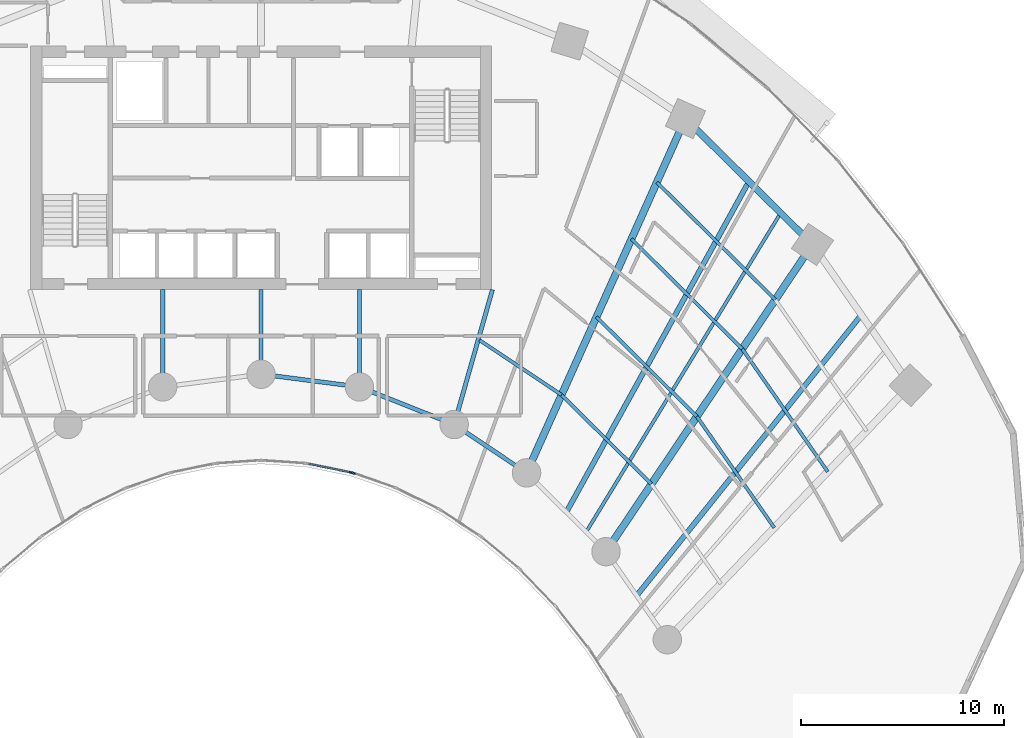
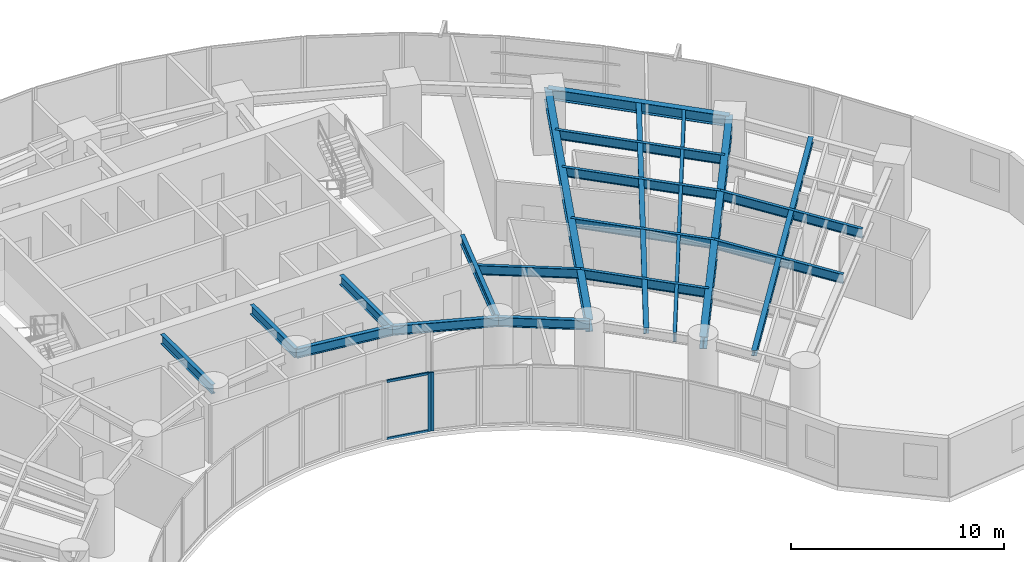
# One storey, part 5 of 17: 20 beams, 4 members, 2 elements without a shape of their own.
"""IFC4 building model written with IfcOpenShell, lengths in metres."""

from ifc_helpers import new_model, si_unit, direction, frame, origin, origin_2d, place, context, subcontext, project, spatial, rectangle, i_section, extrude, source, transform, mapped, material, layer, layer_set, material_profile, profile_set, type_object, type_shapes, element, aggregate, save


model = new_model("IFC4")

# Units and contexts
model_context = context("Model", 3, precision=1e-05, world=origin(), true_north=direction((0.0, 1.0)))
body_context = subcontext(model_context, "Body", "Model", "MODEL_VIEW")
ifc_project = project(units=[si_unit("LENGTHUNIT", "METRE"), si_unit("AREAUNIT", "SQUARE_METRE"), si_unit("VOLUMEUNIT", "CUBIC_METRE"), si_unit("PLANEANGLEUNIT", "RADIAN"), si_unit("MASSUNIT", "GRAM", prefix="KILO")], contexts=[model_context])

# Site, building, storey
site_placement = place(None, origin())
site = spatial("IfcSite", under=ifc_project, at=site_placement, CompositionType="ELEMENT")
building_placement = place(site_placement, origin())
building = spatial("IfcBuilding", under=site, at=building_placement, Name="Breltana Convention Tower", CompositionType="ELEMENT")
storey_placement = place(building_placement, frame((0.0, 0.0, 49.800048828125)))
storey = spatial("IfcBuildingStorey", under=building, at=storey_placement, Name="L10", CompositionType="ELEMENT", Elevation=49.800048828125)

# Beams
ifc_material_1 = material(Name="Steel ASTM A992 Grade 50", Category="steel")
ifc_material_profile_1 = material_profile(ifc_material_1, i_section(OverallWidth=0.323974609375, OverallDepth=0.611083984375, WebThickness=0.0126953125, FlangeThickness=0.01904296875, at=origin_2d()), Name="W24X104")
ifc_profile_set_1 = profile_set([ifc_material_profile_1], Name="Steel ASTM A992 Grade 50")
beam_type_1 = type_object("IfcBeamType", Name="BM-SP-W24X104", PredefinedType="SPANDREL", material=ifc_profile_set_1)
shared_shape_1 = source(origin(), body_context, "Body", "SweptSolid", [
    extrude(i_section(OverallWidth=0.323974609375, OverallDepth=0.611083984375, WebThickness=0.0126953125, FlangeThickness=0.01904296875, at=origin_2d()), origin(), (0.0, 0.0, 1.0), 8.810302734375),
])
beam_1_placement = place(storey_placement, frame((68.910400390625, 68.63330078125, 3.054443359375), z_axis=(0.710120823582, -0.704079836322, 0.0), x_axis=(0.704079836322, 0.710120823582, 0.0)))
element("IfcBeam", 1, at=beam_1_placement, inside=storey, type_object=beam_type_1, Name="L10 Outer Spandrel Beam 09", PredefinedType="SPANDREL", context=body_context, shape_type="MappedRepresentation", body=[
    mapped(shared_shape_1, transform((0.0, 0.0, 0.0), scale=1.0)),
])
ifc_material_profile_2 = material_profile(ifc_material_1, i_section(OverallWidth=0.2099609375, OverallDepth=0.537109375, WebThickness=0.010986328125, FlangeThickness=0.017333984375, at=origin_2d()), Name="W21X68")
ifc_profile_set_2 = profile_set([ifc_material_profile_2], Name="Steel ASTM A992 Grade 50")
beam_type_2 = type_object("IfcBeamType", Name="BM-BM-W21X68", PredefinedType="BEAM", material=ifc_profile_set_2)
shared_shape_2 = source(origin(), body_context, "Body", "SweptSolid", [
    extrude(i_section(OverallWidth=0.2099609375, OverallDepth=0.537109375, WebThickness=0.010986328125, FlangeThickness=0.017333984375, at=origin_2d()), origin(), (0.0, 0.0, 1.0), 6.904541015625),
])
type_shapes(beam_type_2, [shared_shape_2])
beam_2_placement = place(storey_placement, frame((59.39990234375, 60.199951171875, 3.091552734375), z_axis=(-0.273006781054, -0.962012108811, 0.0), x_axis=(0.962012108811, -0.273006781054, 0.0)))
element("IfcBeam", 2, at=beam_2_placement, inside=storey, type_object=beam_type_2, Name="L10 South Core Tie Girder R08", PredefinedType="BEAM", context=body_context, shape_type="MappedRepresentation", body=[
    mapped(shared_shape_2, transform((0.0, 0.0, 0.0), scale=1.0)),
])
shared_shape_3 = source(origin(), body_context, "Body", "SweptSolid", [
    extrude(i_section(OverallWidth=0.2099609375, OverallDepth=0.537109375, WebThickness=0.010986328125, FlangeThickness=0.017333984375, at=origin_2d()), origin(), (0.0, 0.0, 1.0), 4.789306640625),
])
for number, where, z_axis, x_axis, name in (
    (3, (43.153564453125, 60.199951171875, 3.091552734375), (0.0, -1.0, 0.0), (1.0, 0.0, 0.0), "L10 South Core Tie Girder R05"),
    (4, (52.846435546875, 60.199951171875, 3.091552734375), (0.0, -1.0, 0.0), (1.0, 0.0, 0.0), "L10 South Core Tie Girder R07"),
):
    element("IfcBeam", number, at=place(storey_placement, frame(where, z_axis=z_axis, x_axis=x_axis)), inside=storey, type_object=beam_type_2, Name=name, PredefinedType="BEAM", context=body_context, shape_type="MappedRepresentation", body=[
        mapped(shared_shape_3, transform((0.0, 0.0, 0.0), scale=1.0)),
    ])
shared_shape_4 = source(origin(), body_context, "Body", "SweptSolid", [
    extrude(i_section(OverallWidth=0.2099609375, OverallDepth=0.537109375, WebThickness=0.010986328125, FlangeThickness=0.017333984375, at=origin_2d()), origin(), (0.0, 0.0, 1.0), 4.1640625),
])
beam_3_placement = place(storey_placement, frame((48.0, 60.199951171875, 3.091552734375), z_axis=(0.0, -1.0, 0.0), x_axis=(1.0, 0.0, 0.0)))
element("IfcBeam", 5, at=beam_3_placement, inside=storey, type_object=beam_type_2, Name="L10 South Core Tie Girder R06", PredefinedType="BEAM", context=body_context, shape_type="MappedRepresentation", body=[
    mapped(shared_shape_4, transform((0.0, 0.0, 0.0), scale=1.0)),
])
ifc_material_profile_3 = material_profile(ifc_material_1, i_section(OverallWidth=0.35498046875, OverallDepth=0.696044921875, WebThickness=0.015380859375, FlangeThickness=0.02490234375, at=origin_2d()), Name="W27X146")
ifc_profile_set_3 = profile_set([ifc_material_profile_3], Name="Steel ASTM A992 Grade 50")
beam_type_3 = type_object("IfcBeamType", Name="BM-RG-W27X146", PredefinedType="USERDEFINED", material=ifc_profile_set_3)
shared_shape_5 = source(origin(), body_context, "Body", "SweptSolid", [
    extrude(i_section(OverallWidth=0.35498046875, OverallDepth=0.696044921875, WebThickness=0.015380859375, FlangeThickness=0.02490234375, at=origin_2d()), origin(), (0.0, 0.0, 1.0), 19.133544921875),
])
beam_4_placement = place(storey_placement, frame((61.08203125, 51.174560546875, 3.011962890625), z_axis=(0.409144564164, 0.912469575172, 0.0), x_axis=(-0.912469575172, 0.409144564164, 0.0)))
element("IfcBeam", 6, at=beam_4_placement, inside=storey, type_object=beam_type_3, Name="L10 Radial Floor Girder R09", ObjectType="GIRDER", PredefinedType="USERDEFINED", context=body_context, shape_type="MappedRepresentation", body=[
    mapped(shared_shape_5, transform((0.0, 0.0, 0.0), scale=1.0)),
])
shared_shape_6 = source(origin(), body_context, "Body", "SweptSolid", [
    extrude(i_section(OverallWidth=0.35498046875, OverallDepth=0.696044921875, WebThickness=0.015380859375, FlangeThickness=0.02490234375, at=origin_2d()), origin(), (0.0, 0.0, 1.0), 18.236328125),
])
beam_5_placement = place(storey_placement, frame((64.995849609375, 47.293701171875, 3.011962890625), z_axis=(0.557730360975, 0.830022195153, 0.0), x_axis=(-0.830022195153, 0.557730360975, 0.0)))
element("IfcBeam", 7, at=beam_5_placement, inside=storey, type_object=beam_type_3, Name="L10 Radial Floor Girder R10", ObjectType="GIRDER", PredefinedType="USERDEFINED", context=body_context, shape_type="MappedRepresentation", body=[
    mapped(shared_shape_6, transform((0.0, 0.0, 0.0), scale=1.0)),
])
shared_shape_7 = source(origin(), body_context, "Body", "SweptSolid", [
    extrude(i_section(OverallWidth=0.2099609375, OverallDepth=0.537109375, WebThickness=0.010986328125, FlangeThickness=0.017333984375, at=origin_2d()), origin(), (0.0, 0.0, 1.0), 5.022705078125),
])
beam_6_placement = place(storey_placement, frame((52.846435546875, 55.41064453125, 3.091552734375), z_axis=(0.929458966248, -0.368925507469, 0.0), x_axis=(0.368925507469, 0.929458966248, 0.0)))
element("IfcBeam", 8, at=beam_6_placement, inside=storey, type_object=beam_type_2, Name="L10 Inner Ring Beam 07", PredefinedType="BEAM", context=body_context, shape_type="MappedRepresentation", body=[
    mapped(shared_shape_7, transform((0.0, 0.0, 0.0), scale=1.0)),
])
shared_shape_8 = source(origin(), body_context, "Body", "SweptSolid", [
    extrude(i_section(OverallWidth=0.2099609375, OverallDepth=0.537109375, WebThickness=0.010986328125, FlangeThickness=0.017333984375, at=origin_2d()), origin(), (0.0, 0.0, 1.0), 4.88671875),
])
beam_7_placement = place(storey_placement, frame((48.0, 56.035888671875, 3.091552734375), z_axis=(0.991780525565, -0.127950729231, 0.0), x_axis=(0.127950729231, 0.991780525565, 0.0)))
element("IfcBeam", 9, at=beam_7_placement, inside=storey, type_object=beam_type_2, Name="L10 Inner Ring Beam 06", PredefinedType="BEAM", context=body_context, shape_type="MappedRepresentation", body=[
    mapped(shared_shape_8, transform((0.0, 0.0, 0.0), scale=1.0)),
])
shared_shape_9 = source(origin(), body_context, "Body", "SweptSolid", [
    extrude(i_section(OverallWidth=0.2099609375, OverallDepth=0.537109375, WebThickness=0.010986328125, FlangeThickness=0.017333984375, at=origin_2d()), origin(), (0.0, 0.0, 1.0), 4.2900390625),
])
beam_8_placement = place(storey_placement, frame((57.514892578125, 53.5576171875, 3.091552734375), z_axis=(0.831515827753, -0.555501060482, 0.0), x_axis=(0.555501060482, 0.831515827753, 0.0)))
element("IfcBeam", 10, at=beam_8_placement, inside=storey, type_object=beam_type_2, Name="L10 Inner Ring Beam 08", PredefinedType="BEAM", context=body_context, shape_type="MappedRepresentation", body=[
    mapped(shared_shape_9, transform((0.0, 0.0, 0.0), scale=1.0)),
])
ifc_material_profile_4 = material_profile(ifc_material_1, i_section(OverallWidth=0.166015625, OverallDepth=0.534912109375, WebThickness=0.01025390625, FlangeThickness=0.0166015625, at=origin_2d()), Name="W21X57")
ifc_profile_set_4 = profile_set([ifc_material_profile_4], Name="Steel ASTM A992 Grade 50")
beam_type_4 = type_object("IfcBeamType", Name="BM-JSG-05", PredefinedType="JOIST", material=ifc_profile_set_4)
shared_shape_10 = source(origin(), body_context, "Body", "SweptSolid", [
    extrude(i_section(OverallWidth=0.166015625, OverallDepth=0.534912109375, WebThickness=0.01025390625, FlangeThickness=0.0166015625, at=origin_2d()), origin(), (0.0, 0.0, 1.0), 4.854736328125),
])
beam_9_placement = place(storey_placement, frame((58.767578125, 57.71240234375, 3.092529296875), z_axis=(0.831485074305, -0.555547091801, 0.0), x_axis=(0.555547091801, 0.831485074305, 0.0)))
element("IfcBeam", 11, at=beam_9_placement, inside=storey, type_object=beam_type_4, Name="L10 Composite Floor Joist 08.1", PredefinedType="JOIST", context=body_context, shape_type="MappedRepresentation", body=[
    mapped(shared_shape_10, transform((0.0, 0.0, 0.0), scale=1.0)),
])
shared_shape_11 = source(origin(), body_context, "Body", "SweptSolid", [
    extrude(i_section(OverallWidth=0.166015625, OverallDepth=0.534912109375, WebThickness=0.01025390625, FlangeThickness=0.0166015625, at=origin_2d()), origin(), (0.0, 0.0, 1.0), 6.2373046875),
])
beam_10_placement = place(storey_placement, frame((62.80419921875, 55.015380859375, 3.092529296875), z_axis=(0.710114292485, -0.704086423394, 0.0), x_axis=(0.704086423394, 0.710114292485, 0.0)))
element("IfcBeam", 12, at=beam_10_placement, inside=storey, type_object=beam_type_4, Name="L10 Composite Floor Joist 09.1", PredefinedType="JOIST", context=body_context, shape_type="MappedRepresentation", body=[
    mapped(shared_shape_11, transform((0.0, 0.0, 0.0), scale=1.0)),
])
shared_shape_12 = source(origin(), body_context, "Body", "SweptSolid", [
    extrude(i_section(OverallWidth=0.166015625, OverallDepth=0.534912109375, WebThickness=0.01025390625, FlangeThickness=0.0166015625, at=origin_2d()), origin(), (0.0, 0.0, 1.0), 6.963134765625),
])
beam_11_placement = place(storey_placement, frame((64.526611328125, 58.8564453125, 3.092529296875), z_axis=(0.71009817493, -0.704102678564, 0.0), x_axis=(0.704102678564, 0.71009817493, 0.0)))
element("IfcBeam", 13, at=beam_11_placement, inside=storey, type_object=beam_type_4, Name="L10 Composite Floor Joist 09.2", PredefinedType="JOIST", context=body_context, shape_type="MappedRepresentation", body=[
    mapped(shared_shape_12, transform((0.0, 0.0, 0.0), scale=1.0)),
])
shared_shape_13 = source(origin(), body_context, "Body", "SweptSolid", [
    extrude(i_section(OverallWidth=0.166015625, OverallDepth=0.534912109375, WebThickness=0.01025390625, FlangeThickness=0.0166015625, at=origin_2d()), origin(), (0.0, 0.0, 1.0), 7.688720703125),
])
beam_12_placement = place(storey_placement, frame((66.248779296875, 62.697265625, 3.092529296875), z_axis=(0.710101109809, -0.704099718682, 0.0), x_axis=(0.704099718682, 0.710101109809, 0.0)))
element("IfcBeam", 14, at=beam_12_placement, inside=storey, type_object=beam_type_4, Name="L10 Composite Floor Joist 09.3", PredefinedType="JOIST", context=body_context, shape_type="MappedRepresentation", body=[
    mapped(shared_shape_13, transform((0.0, 0.0, 0.0), scale=1.0)),
])
shared_shape_14 = source(origin(), body_context, "Body", "SweptSolid", [
    extrude(i_section(OverallWidth=0.166015625, OverallDepth=0.534912109375, WebThickness=0.01025390625, FlangeThickness=0.0166015625, at=origin_2d()), origin(), (0.0, 0.0, 1.0), 8.21630859375),
])
beam_13_placement = place(storey_placement, frame((67.50146484375, 65.49072265625, 3.092529296875), z_axis=(0.710101511063, -0.704099314008, 0.0), x_axis=(0.704099314008, 0.710101511063, 0.0)))
element("IfcBeam", 15, at=beam_13_placement, inside=storey, type_object=beam_type_4, Name="L10 Composite Floor Joist 09.4", PredefinedType="JOIST", context=body_context, shape_type="MappedRepresentation", body=[
    mapped(shared_shape_14, transform((0.0, 0.0, 0.0), scale=1.0)),
])
ifc_material_profile_5 = material_profile(ifc_material_1, i_section(OverallWidth=0.25390625, OverallDepth=0.305908203125, WebThickness=0.0087890625, FlangeThickness=0.0146484375, at=origin_2d()), Name="W12X53")
ifc_profile_set_5 = profile_set([ifc_material_profile_5], Name="Steel ASTM A992 Grade 50")
beam_type_5 = type_object("IfcBeamType", Name="BM-JSG-10", PredefinedType="JOIST", material=ifc_profile_set_5)
shared_shape_15 = source(origin(), body_context, "Body", "SweptSolid", [
    extrude(i_section(OverallWidth=0.25390625, OverallDepth=0.305908203125, WebThickness=0.0087890625, FlangeThickness=0.0146484375, at=origin_2d()), origin(), (0.0, 0.0, 1.0), 18.617431640625),
])
beam_14_placement = place(storey_placement, frame((63.038818359375, 49.234130859375, 3.20703125), z_axis=(0.483405602507, 0.875396495004, 0.0), x_axis=(-0.875396495004, 0.483405602507, 0.0)))
element("IfcBeam", 16, at=beam_14_placement, inside=storey, type_object=beam_type_5, Name="L10 Mid-Bay Radial Trimmer 09", PredefinedType="JOIST", context=body_context, shape_type="MappedRepresentation", body=[
    mapped(shared_shape_15, transform((0.0, 0.0, 0.0), scale=1.0)),
])
shared_shape_16 = source(origin(), body_context, "Body", "SweptSolid", [
    extrude(i_section(OverallWidth=0.166015625, OverallDepth=0.534912109375, WebThickness=0.01025390625, FlangeThickness=0.0166015625, at=origin_2d()), origin(), (0.0, 0.0, 1.0), 18.409423828125),
])
beam_15_placement = place(storey_placement, frame((64.017333984375, 48.263916015625, 3.092529296875), z_axis=(0.520682167606, 0.853750596098, 0.0), x_axis=(-0.853750596098, 0.520682167606, 0.0)))
element("IfcBeam", 17, at=beam_15_placement, inside=storey, type_object=beam_type_4, Name="L10 Quarter-Bay Radial Trimmer 09", PredefinedType="JOIST", context=body_context, shape_type="MappedRepresentation", body=[
    mapped(shared_shape_16, transform((0.0, 0.0, 0.0), scale=1.0)),
])
shared_shape_17 = source(origin(), body_context, "Body", "SweptSolid", [
    extrude(i_section(OverallWidth=0.166015625, OverallDepth=0.534912109375, WebThickness=0.01025390625, FlangeThickness=0.0166015625, at=origin_2d()), origin(), (0.0, 0.0, 1.0), 6.677978515625),
])
beam_16_placement = place(storey_placement, frame((69.47119140625, 53.95361328125, 3.092529296875), z_axis=(0.571193018768, -0.820815774282, 0.0), x_axis=(0.820815774282, 0.571193018768, 0.0)))
element("IfcBeam", 18, at=beam_16_placement, inside=storey, type_object=beam_type_4, Name="L10 Composite Floor Joist 10.2", PredefinedType="JOIST", context=body_context, shape_type="MappedRepresentation", body=[
    mapped(shared_shape_17, transform((0.0, 0.0, 0.0), scale=1.0)),
])
shared_shape_18 = source(origin(), body_context, "Body", "SweptSolid", [
    extrude(i_section(OverallWidth=0.166015625, OverallDepth=0.534912109375, WebThickness=0.01025390625, FlangeThickness=0.0166015625, at=origin_2d()), origin(), (0.0, 0.0, 1.0), 7.374267578125),
])
beam_17_placement = place(storey_placement, frame((71.70849609375, 57.28369140625, 3.092529296875), z_axis=(0.571229379406, -0.820790470281, 0.0), x_axis=(0.820790470281, 0.571229379406, 0.0)))
element("IfcBeam", 19, at=beam_17_placement, inside=storey, type_object=beam_type_4, Name="L10 Composite Floor Joist 10.3", PredefinedType="JOIST", context=body_context, shape_type="MappedRepresentation", body=[
    mapped(shared_shape_18, transform((0.0, 0.0, 0.0), scale=1.0)),
])
shared_shape_19 = source(origin(), body_context, "Body", "SweptSolid", [
    extrude(i_section(OverallWidth=0.25390625, OverallDepth=0.305908203125, WebThickness=0.0087890625, FlangeThickness=0.0146484375, at=origin_2d()), origin(), (0.0, 0.0, 1.0), 17.7236328125),
])
beam_18_placement = place(storey_placement, frame((66.505615234375, 45.124267578125, 3.20703125), z_axis=(0.624829427563, 0.78076128647, 0.0), x_axis=(-0.78076128647, 0.624829427563, 0.0)))
element("IfcBeam", 20, at=beam_18_placement, inside=storey, type_object=beam_type_5, Name="L10 Mid-Bay Radial Trimmer 10", PredefinedType="JOIST", context=body_context, shape_type="MappedRepresentation", body=[
    mapped(shared_shape_19, transform((0.0, 0.0, 0.0), scale=1.0)),
])

# Curtain wall, members
ifc_material_2 = material(Name="Aluminium Anodised Bronze Frame", Category="aluminium")
ifc_layer = layer(ifc_material_2, 0.18994140625, Name="Aluminium Anodised Bronze Frame")
ifc_layer_set = layer_set([ifc_layer], Name="Aluminium Anodised Bronze Frame")
curtain_wall_type = type_object("IfcCurtainWallType", Name="CW-SYS-1", PredefinedType="NOTDEFINED", material=ifc_layer_set)
curtain_wall_1_placement = place(storey_placement, origin())
curtain_wall_1 = element("IfcCurtainWall", 21, at=curtain_wall_1_placement, inside=storey, type_object=curtain_wall_type, Name="L10 inner south-court glazing 8", PredefinedType="NOTDEFINED")
ifc_material_3 = material(Name="Aluminium Anodised Bronze", Category="aluminium")
ifc_material_profile_6 = material_profile(ifc_material_3, rectangle(XDim=0.080078125, YDim=0.139892578125, at=origin_2d()), Name="CWT-80X140")
ifc_profile_set_6 = profile_set([ifc_material_profile_6], Name="Aluminium Anodised Bronze")
member_type_1 = type_object("IfcMemberType", Name="CWT-140", PredefinedType="USERDEFINED", material=ifc_profile_set_6)
shared_shape_20 = source(origin(), body_context, "Body", "SweptSolid", [
    extrude(rectangle(XDim=0.080078125, YDim=0.139892578125, at=origin_2d()), origin(), (0.0, 0.0, 1.0), 2.096435546875),
])
member_1_placement = place(storey_placement, frame((52.401611328125, 51.201416015625, 0.0400390625), z_axis=(-0.979615042233, 0.200883969074, 0.0), x_axis=(-0.200883969074, -0.979615042233, 0.0)))
member_1 = element("IfcMember", 22, at=member_1_placement, type_object=member_type_1, Name="CW-01 transom 1.1", ObjectType="TRANSOM", PredefinedType="USERDEFINED", context=body_context, shape_type="MappedRepresentation", body=[
    mapped(shared_shape_20, transform((0.0, 0.0, 0.0), scale=1.0)),
])
member_2_placement = place(storey_placement, frame((52.401611328125, 51.201416015625, 3.320068359375), z_axis=(-0.979615042233, 0.200883969074, 0.0), x_axis=(-0.200883969074, -0.979615042233, 0.0)))
member_2 = element("IfcMember", 23, at=member_2_placement, type_object=member_type_1, Name="CW-01 transom 1.2", ObjectType="TRANSOM", PredefinedType="USERDEFINED", context=body_context, shape_type="MappedRepresentation", body=[
    mapped(shared_shape_20, transform((0.0, 0.0, 0.0), scale=1.0)),
])

# Curtain wall, member
curtain_wall_2_placement = place(storey_placement, origin())
curtain_wall_2 = element("IfcCurtainWall", 24, at=curtain_wall_2_placement, inside=storey, type_object=curtain_wall_type, Name="L10 inner south-court glazing 7", PredefinedType="NOTDEFINED")
ifc_material_profile_7 = material_profile(ifc_material_3, rectangle(XDim=0.080078125, YDim=0.199951171875, at=origin_2d()), Name="CWM-80X200")
ifc_profile_set_7 = profile_set([ifc_material_profile_7], Name="Aluminium Anodised Bronze")
member_type_2 = type_object("IfcMemberType", Name="CWM-200", PredefinedType="MULLION", material=ifc_profile_set_7)
shared_shape_21 = source(origin(), body_context, "Body", "SweptSolid", [
    extrude(rectangle(XDim=0.080078125, YDim=0.199951171875, at=origin_2d()), origin(), (0.0, 0.0, 1.0), 3.35986328125),
])
member_3_placement = place(storey_placement, frame((52.54052734375, 51.166015625, 0.0), z_axis=(0.0, 0.0, 1.0), x_axis=(-0.327413341714, -0.944881211406, 0.0)))
member_3 = element("IfcMember", 25, at=member_3_placement, type_object=member_type_2, Name="CW-01 mullion 2", PredefinedType="MULLION", context=body_context, shape_type="MappedRepresentation", body=[
    mapped(shared_shape_21, transform((0.0, 0.0, 0.0), scale=1.0)),
])
aggregate(curtain_wall_2, [member_3])

# Member
member_4_placement = place(storey_placement, frame((52.44091796875, 51.193359375, 0.0), z_axis=(0.0, 0.0, 1.0), x_axis=(-0.200886350278, -0.97961455393, 0.0)))
member_4 = element("IfcMember", 26, at=member_4_placement, type_object=member_type_2, Name="CW-01 mullion 1", PredefinedType="MULLION", context=body_context, shape_type="MappedRepresentation", body=[
    mapped(shared_shape_21, transform((0.0, 0.0, 0.0), scale=1.0)),
])

aggregate(curtain_wall_1, [member_4, member_1, member_2])

save(model, "model.ifc")
